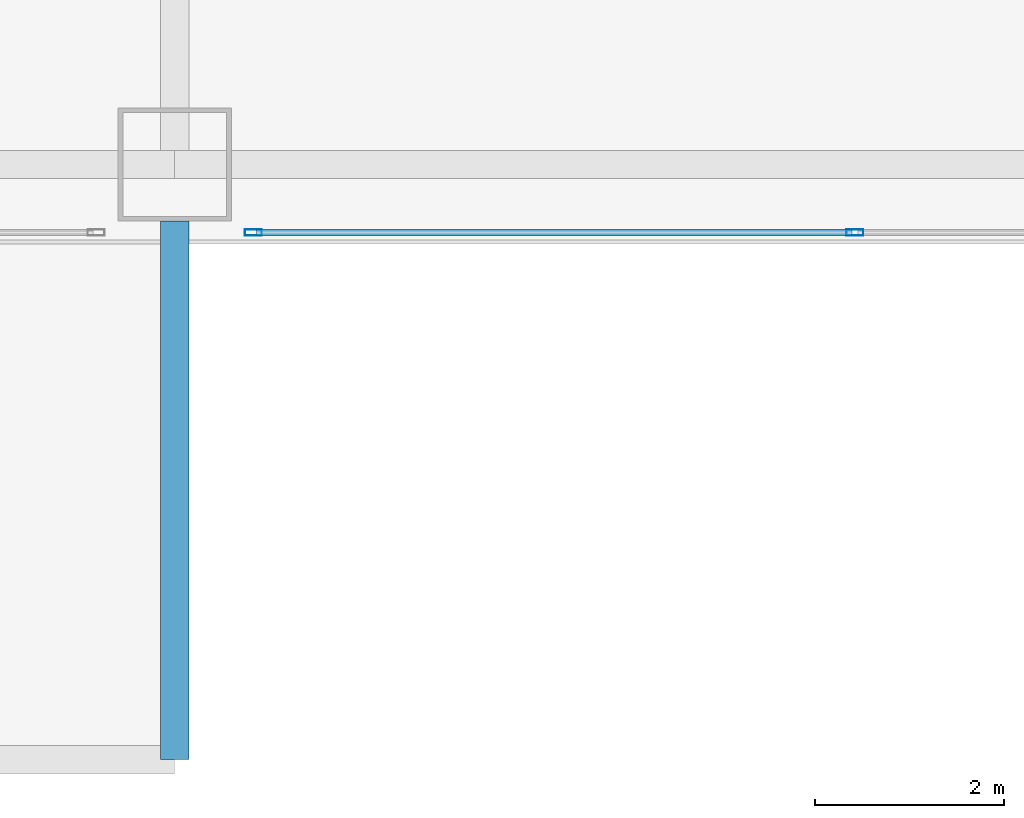
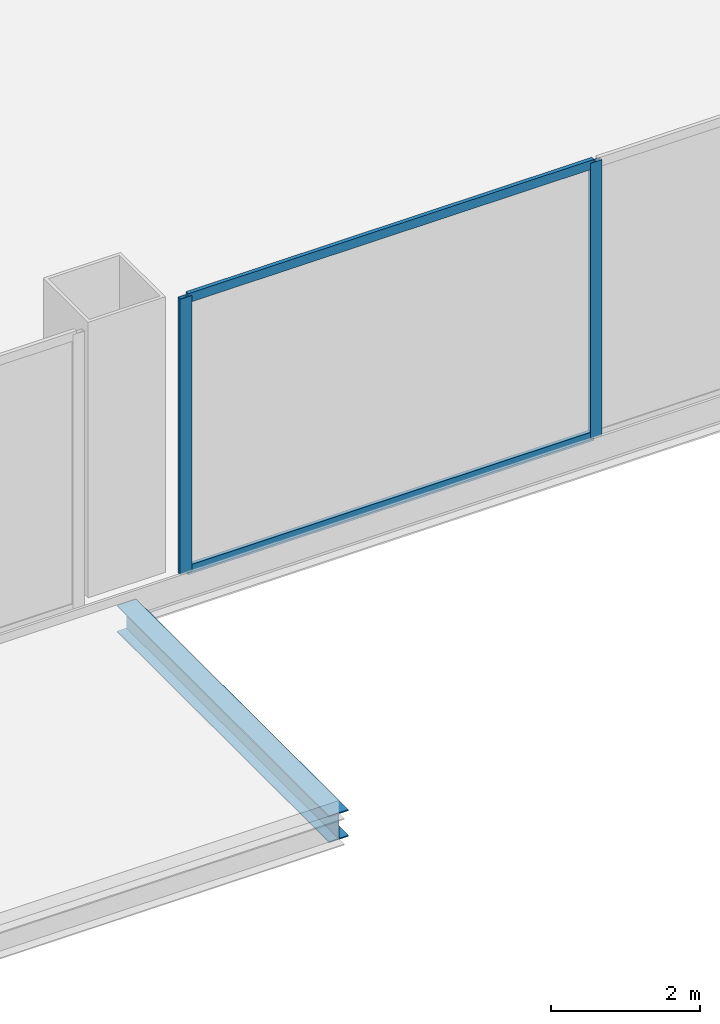
# One storey, part 14 of 42: 4 members, 1 beam, 1 element without a shape of its own.
"""IFC4 building model written with IfcOpenShell, lengths in metres."""

import ifcopenshell
import ifcopenshell.guid

model = None  # the IFC model being written
_history = None  # IfcOwnerHistory: only IFC2X3 demands one
_inside = {}  # id of a spatial element -> (the spatial element, [elements in it])
_under = {}  # id of a project, library or spatial element -> (it, [spatial elements below it])
_declared = {}  # id of a project -> (the project, [libraries it declares])
_typed = {}  # id of a type object -> (the type object, [elements of that type])
_made_of = {}  # id of a material, layer set ... -> (it, [elements and type objects made of it])


def new_model(schema):
    """Start an empty IFC model of exactly this schema.

    Asked for "IFC4X3", IfcOpenShell would pick the latest addendum, in which some entities
    have other attributes; the version numbers below select the first issue.
    IFC2X3 requires an IfcOwnerHistory on every rooted entity: one is made here for all.
    """
    global model, _history
    if schema == "IFC4X3":
        model = ifcopenshell.file(schema_version=(4, 3, 0, 0))
    else:
        model = ifcopenshell.file(schema=schema)
    _inside.clear()
    _under.clear()
    _declared.clear()
    _typed.clear()
    _made_of.clear()
    _history = None
    if model.schema == "IFC2X3":
        org = make("IfcOrganization", Name="unknown")
        user = make(
            "IfcPersonAndOrganization",
            ThePerson=make("IfcPerson", FamilyName="unknown"),
            TheOrganization=org,
        )
        app = make(
            "IfcApplication",
            ApplicationDeveloper=org,
            Version="unknown",
            ApplicationFullName="unknown",
            ApplicationIdentifier="unknown",
        )
        _history = make(
            "IfcOwnerHistory",
            OwningUser=user,
            OwningApplication=app,
            ChangeAction="ADDED",
            CreationDate=0,
        )
    return model


def make(cls, **values):
    """One entity of the class cls with the attributes given. An attribute that is None is left unset."""
    return model.create_entity(
        cls, **{name: value for name, value in values.items() if value is not None}
    )


def rooted(cls, **values):
    """An entity with a GlobalId (a new one), such as an element, a storey or a relation."""
    return make(cls, GlobalId=ifcopenshell.guid.new(), OwnerHistory=_history, **values)


def si_unit(unit_type, name, prefix=None):
    """IfcSIUnit, for example si_unit("LENGTHUNIT", "METRE", prefix="MILLI")."""
    return make("IfcSIUnit", UnitType=unit_type, Prefix=prefix, Name=name)


def assignment(units):
    """IfcUnitAssignment: the units of a project."""
    return None if units is None else make("IfcUnitAssignment", Units=units)


def point(xyz):
    """IfcCartesianPoint."""
    return None if xyz is None else make("IfcCartesianPoint", Coordinates=xyz)


def direction(xyz):
    """IfcDirection."""
    return None if xyz is None else make("IfcDirection", DirectionRatios=xyz)


def frame(location, z_axis=None, x_axis=None):
    """IfcAxis2Placement3D, a coordinate frame: its origin and axes. An axis left out is left unset."""
    return make(
        "IfcAxis2Placement3D",
        Location=point(location),
        Axis=direction(z_axis),
        RefDirection=direction(x_axis),
    )


def frame_2d(location, x_axis=None):
    """IfcAxis2Placement2D, a coordinate frame in the plane: its origin and x axis."""
    return make(
        "IfcAxis2Placement2D", Location=point(location), RefDirection=direction(x_axis)
    )


def origin():
    """The frame at (0, 0, 0) with its axes left unset."""
    return frame((0.0, 0.0, 0.0))


def origin_2d():
    """The frame at (0, 0) in the plane with its x axis left unset."""
    return frame_2d((0.0, 0.0))


def place(relative_to, where):
    """IfcLocalPlacement: puts the frame where relative to a parent placement (None: the world)."""
    return make(
        "IfcLocalPlacement", PlacementRelTo=relative_to, RelativePlacement=where
    )


def context(
    kind, dimensions, precision=None, world=None, true_north=None, identifier=None
):
    """IfcGeometricRepresentationContext, for example the 3D "Model" context."""
    return make(
        "IfcGeometricRepresentationContext",
        ContextIdentifier=identifier,
        ContextType=kind,
        CoordinateSpaceDimension=dimensions,
        Precision=precision,
        WorldCoordinateSystem=world,
        TrueNorth=true_north,
    )


def subcontext(parent, identifier, kind, view, scale=None):
    """IfcGeometricRepresentationSubContext, for example "Body" below "Model"."""
    return make(
        "IfcGeometricRepresentationSubContext",
        ContextIdentifier=identifier,
        ContextType=kind,
        ParentContext=parent,
        TargetScale=scale,
        TargetView=view,
    )


def project(units=None, contexts=None):
    """IfcProject with its units and contexts."""
    return rooted(
        "IfcProject",
        Name="project",
        RepresentationContexts=contexts,
        UnitsInContext=assignment(units),
    )


def spatial(cls, under=None, at=None, **own):
    """A site, building, storey or space (cls), placed at a placement, below another one or the project."""
    s = rooted(cls, ObjectPlacement=at, **own)
    if under is not None:
        _under.setdefault(under.id(), (under, []))[1].append(s)
    return s


def profile(cls, at=None, kind="AREA", **sizes):
    """A parametric profile (cls). Its sizes go by their IFC names, for example OverallWidth=200.0."""
    return make(cls, ProfileType=kind, Position=at, **sizes)


def hollow_rectangle(**sizes):
    """IfcRectangleHollowProfileDef."""
    return profile("IfcRectangleHollowProfileDef", **sizes)


def i_section(**sizes):
    """IfcIShapeProfileDef."""
    return profile("IfcIShapeProfileDef", **sizes)


def extrude(swept, where, along, depth):
    """IfcExtrudedAreaSolid: the profile swept, set in the frame where, extruded along a direction by depth."""
    return make(
        "IfcExtrudedAreaSolid",
        SweptArea=swept,
        Position=where,
        ExtrudedDirection=direction(along),
        Depth=depth,
    )


def shape(context_of_items, identifier, shape_type, items):
    """IfcShapeRepresentation: the items that make up one representation, for example the "Body"."""
    return make(
        "IfcShapeRepresentation",
        ContextOfItems=context_of_items,
        RepresentationIdentifier=identifier,
        RepresentationType=shape_type,
        Items=items,
    )


def source(mapping_origin, context_of_items, identifier, shape_type, items):
    """IfcRepresentationMap: a shape defined once, which mapped items show again and again."""
    return make(
        "IfcRepresentationMap",
        MappingOrigin=mapping_origin,
        MappedRepresentation=shape(context_of_items, identifier, shape_type, items),
    )


def transform(
    local_origin,
    x_axis=None,
    y_axis=None,
    z_axis=None,
    scale=None,
    scale2=None,
    scale3=None,
    uniform=True,
):
    """IfcCartesianTransformationOperator3D, or its non-uniform kind. x_axis, y_axis, z_axis: its Axis1, 2, 3."""
    if uniform:
        return make(
            "IfcCartesianTransformationOperator3D",
            Axis1=direction(x_axis),
            Axis2=direction(y_axis),
            LocalOrigin=point(local_origin),
            Scale=scale,
            Axis3=direction(z_axis),
        )
    return make(
        "IfcCartesianTransformationOperator3DnonUniform",
        Axis1=direction(x_axis),
        Axis2=direction(y_axis),
        LocalOrigin=point(local_origin),
        Scale=scale,
        Axis3=direction(z_axis),
        Scale2=scale2,
        Scale3=scale3,
    )


def mapped(mapping_source, mapping_target):
    """IfcMappedItem: shows the shape of a source again, moved by a transform."""
    return make(
        "IfcMappedItem", MappingSource=mapping_source, MappingTarget=mapping_target
    )


def material(Name=None, Category=None):
    """IfcMaterial."""
    return make("IfcMaterial", Name=Name, Category=Category)


def layer(
    of_material, thickness, ventilated=None, Name=None, Category=None, Priority=None
):
    """IfcMaterialLayer: one layer of a wall or slab, of a material (None: an air gap)."""
    return make(
        "IfcMaterialLayer",
        Material=of_material,
        LayerThickness=thickness,
        IsVentilated=ventilated,
        Name=Name,
        Category=Category,
        Priority=Priority,
    )


def layer_set(layers, Name=None):
    """IfcMaterialLayerSet."""
    return make("IfcMaterialLayerSet", MaterialLayers=layers, LayerSetName=Name)


def material_profile(
    of_material, cross_section, Name=None, Category=None, Priority=None
):
    """IfcMaterialProfile: a cross section and its material."""
    return make(
        "IfcMaterialProfile",
        Name=Name,
        Material=of_material,
        Profile=cross_section,
        Priority=Priority,
        Category=Category,
    )


def profile_set(profiles, Name=None, composite=None):
    """IfcMaterialProfileSet."""
    return make(
        "IfcMaterialProfileSet",
        Name=Name,
        MaterialProfiles=profiles,
        CompositeProfile=composite,
    )


def made_of(thing, what):
    """Note that an element or type object is made of a material, layer set ...; save() writes the relation."""
    if what is not None:
        _made_of.setdefault(what.id(), (what, []))[1].append(thing)
    return thing


def type_object(cls, material=None, **own):
    """A type object (cls), such as IfcWallType, which elements share."""
    return made_of(rooted(cls, **own), material)


def element(
    cls,
    number,
    at=None,
    inside=None,
    cuts=None,
    type_object=None,
    material=None,
    context=None,
    identifier="Body",
    shape_type=None,
    held_by="IfcProductDefinitionShape",
    body=None,
    shapes=None,
    **own,
):
    """One element of the class cls, such as IfcWall. Its Tag is "e" and its number.

    at: its placement. inside: the storey or other place that contains it. cuts: it is an
    opening in that element (IfcRelVoidsElement). A single representation is given by context,
    identifier, shape_type and body (its items); several are given by shapes. held_by: the class
    of the entity that holds the representations. save() writes the other relations.
    """
    e = rooted(cls, Tag="e%d" % number, ObjectPlacement=at, **own)
    if body is not None:
        shapes = [shape(context, identifier, shape_type, body)]
    if shapes is not None:
        e.Representation = make(held_by, Representations=shapes)
    if inside is not None:
        _inside.setdefault(inside.id(), (inside, []))[1].append(e)
    if cuts is not None:
        rooted(
            "IfcRelVoidsElement", RelatingBuildingElement=cuts, RelatedOpeningElement=e
        )
    if type_object is not None:
        _typed.setdefault(type_object.id(), (type_object, []))[1].append(e)
    return made_of(e, material)


def aggregate(whole, parts):
    """IfcRelAggregates: a whole, such as a stair, and the parts it consists of."""
    return rooted("IfcRelAggregates", RelatingObject=whole, RelatedObjects=parts)


def save(model, path):
    """Write the relations noted so far, then the file.

    IfcRelAggregates (storeys below a building ...), IfcRelContainedInSpatialStructure (elements
    in a storey), IfcRelDefinesByType, IfcRelAssociatesMaterial and IfcRelDeclares: one each for
    every whole, place, type object, material and project.
    """
    for whole, parts in _under.values():
        aggregate(whole, parts)
    for where, things in _inside.values():
        rooted(
            "IfcRelContainedInSpatialStructure",
            RelatedElements=things,
            RelatingStructure=where,
        )
    for kind, things in _typed.values():
        rooted("IfcRelDefinesByType", RelatedObjects=things, RelatingType=kind)
    for what, things in _made_of.values():
        rooted("IfcRelAssociatesMaterial", RelatedObjects=things, RelatingMaterial=what)
    for by, libraries in _declared.values():
        rooted("IfcRelDeclares", RelatingContext=by, RelatedDefinitions=libraries)
    model.write(path)


model = new_model("IFC4")

# Units and contexts
model_context = context("Model", 3, precision=1e-05, world=origin(), true_north=direction((0.0, 1.0)))
body_context = subcontext(model_context, "Body", "Model", "MODEL_VIEW")
ifc_project = project(units=[si_unit("LENGTHUNIT", "METRE"), si_unit("AREAUNIT", "SQUARE_METRE"), si_unit("VOLUMEUNIT", "CUBIC_METRE"), si_unit("PLANEANGLEUNIT", "RADIAN"), si_unit("MASSUNIT", "GRAM", prefix="KILO"), si_unit("THERMODYNAMICTEMPERATUREUNIT", "KELVIN"), si_unit("POWERUNIT", "WATT")], contexts=[model_context])

# Site, building, storey
site_placement = place(None, origin())
site = spatial("IfcSite", under=ifc_project, at=site_placement, CompositionType="ELEMENT")
building_placement = place(site_placement, origin())
building = spatial("IfcBuilding", under=site, at=building_placement, Name="Yunzhuo Pagoda Commons", CompositionType="ELEMENT")
storey_placement = place(building_placement, frame((0.0, 0.0, 4.800048828125)))
storey = spatial("IfcBuildingStorey", under=building, at=storey_placement, Name="L02", CompositionType="ELEMENT", Elevation=4.800048828125)

# Beam
ifc_material_1 = material(Name="Structural steel Q355B", Category="steel")
ifc_material_profile_1 = material_profile(ifc_material_1, i_section(OverallWidth=0.300048828125, OverallDepth=0.43994140625, WebThickness=0.010986328125, FlangeThickness=0.01806640625, at=origin_2d()), Name="Structural steel Q355B")
ifc_profile_set_1 = profile_set([ifc_material_profile_1], Name="Structural steel Q355B")
beam_type = type_object("IfcBeamType", Name="B-SP2 Beam HM 440x300x11x18", PredefinedType="BEAM", material=ifc_profile_set_1)
shared_shape_1 = source(origin(), body_context, "Body", "SweptSolid", [
    extrude(i_section(OverallWidth=0.300048828125, OverallDepth=0.43994140625, WebThickness=0.010986328125, FlangeThickness=0.01806640625, at=origin_2d()), origin(), (0.0, 0.0, 1.0), 5.699951171875),
])
beam_placement = place(storey_placement, frame((76.800048828125, 6.199951171875, -0.5), z_axis=(0.0, -1.0, 0.0), x_axis=(1.0, 0.0, 0.0)))
element("IfcBeam", 1, at=beam_placement, inside=storey, type_object=beam_type, Name="South canopy girder 4", PredefinedType="BEAM", context=body_context, shape_type="MappedRepresentation", body=[
    mapped(shared_shape_1, transform((0.0, 0.0, 0.0), scale=1.0)),
])

# Curtain wall, members
ifc_material_2 = material(Name="Anodized aluminium 6063-T6", Category="aluminium")
ifc_layer = layer(ifc_material_2, 0.179931640625)
ifc_layer_set = layer_set([ifc_layer], Name="Anodized aluminium 6063-T6")
curtain_wall_type = type_object("IfcCurtainWallType", Name="CW-POD Waterfront Podium Curtain Wall", PredefinedType="NOTDEFINED", material=ifc_layer_set)
curtain_wall_placement = place(storey_placement, origin())
curtain_wall = element("IfcCurtainWall", 2, at=curtain_wall_placement, inside=storey, type_object=curtain_wall_type, Name="L02 curtain wall CW-L02-S5", PredefinedType="NOTDEFINED")
ifc_material_profile_2 = material_profile(ifc_material_2, hollow_rectangle(XDim=0.06494140625, YDim=0.179931640625, WallThickness=0.00390625, at=origin_2d()), Name="Anodized aluminium 6063-T6")
ifc_profile_set_2 = profile_set([ifc_material_profile_2], Name="Anodized aluminium 6063-T6")
member_type_1 = type_object("IfcMemberType", Name="CW-POD-M Mullion RHS 180x65x4", PredefinedType="MULLION", material=ifc_profile_set_2)
shared_shape_2 = source(origin(), body_context, "Body", "SweptSolid", [
    extrude(hollow_rectangle(XDim=0.06494140625, YDim=0.179931640625, WallThickness=0.00390625, at=origin_2d()), origin(), (0.0, 0.0, 1.0), 4.52001953125),
])
member_1_placement = place(storey_placement, frame((77.632568359375, 6.080078125, 0.0), z_axis=(0.0, 0.0, 1.0), x_axis=(0.0, 1.0, 0.0)))
member_1 = element("IfcMember", 3, at=member_1_placement, type_object=member_type_1, Name="CW mullion 1", PredefinedType="MULLION", context=body_context, shape_type="MappedRepresentation", body=[
    mapped(shared_shape_2, transform((0.0, 0.0, 0.0), scale=1.0)),
])
member_2_placement = place(storey_placement, frame((84.0, 6.080078125, 0.0), z_axis=(0.0, 0.0, 1.0), x_axis=(0.0, 1.0, 0.0)))
member_2 = element("IfcMember", 4, at=member_2_placement, type_object=member_type_1, Name="CW mullion 2", PredefinedType="MULLION", context=body_context, shape_type="MappedRepresentation", body=[
    mapped(shared_shape_2, transform((0.0, 0.0, 0.0), scale=1.0)),
])
ifc_material_profile_3 = material_profile(ifc_material_2, hollow_rectangle(XDim=0.06005859375, YDim=0.14990234375, WallThickness=0.00390625, at=origin_2d()), Name="Anodized aluminium 6063-T6")
ifc_profile_set_3 = profile_set([ifc_material_profile_3], Name="Anodized aluminium 6063-T6")
member_type_2 = type_object("IfcMemberType", Name="CW-POD-T Transom RHS 150x60x4", PredefinedType="USERDEFINED", material=ifc_profile_set_3)
shared_shape_3 = source(origin(), body_context, "Body", "SweptSolid", [
    extrude(hollow_rectangle(XDim=0.06005859375, YDim=0.14990234375, WallThickness=0.00390625, at=origin_2d()), origin(), (0.0, 0.0, 1.0), 6.302490234375),
])
member_3_placement = place(storey_placement, frame((77.6650390625, 6.080078125, 0.030029296875), z_axis=(1.0, 0.0, 0.0), x_axis=(0.0, 1.0, 0.0)))
member_3 = element("IfcMember", 5, at=member_3_placement, type_object=member_type_2, Name="CW transom 1.1", ObjectType="TRANSOM", PredefinedType="USERDEFINED", context=body_context, shape_type="MappedRepresentation", body=[
    mapped(shared_shape_3, transform((0.0, 0.0, 0.0), scale=1.0)),
])
member_4_placement = place(storey_placement, frame((77.6650390625, 6.080078125, 4.489990234375), z_axis=(1.0, 0.0, 0.0), x_axis=(0.0, 1.0, 0.0)))
member_4 = element("IfcMember", 6, at=member_4_placement, type_object=member_type_2, Name="CW transom 1.2", ObjectType="TRANSOM", PredefinedType="USERDEFINED", context=body_context, shape_type="MappedRepresentation", body=[
    mapped(shared_shape_3, transform((0.0, 0.0, 0.0), scale=1.0)),
])
aggregate(curtain_wall, [member_1, member_2, member_3, member_4])

save(model, "model.ifc")
